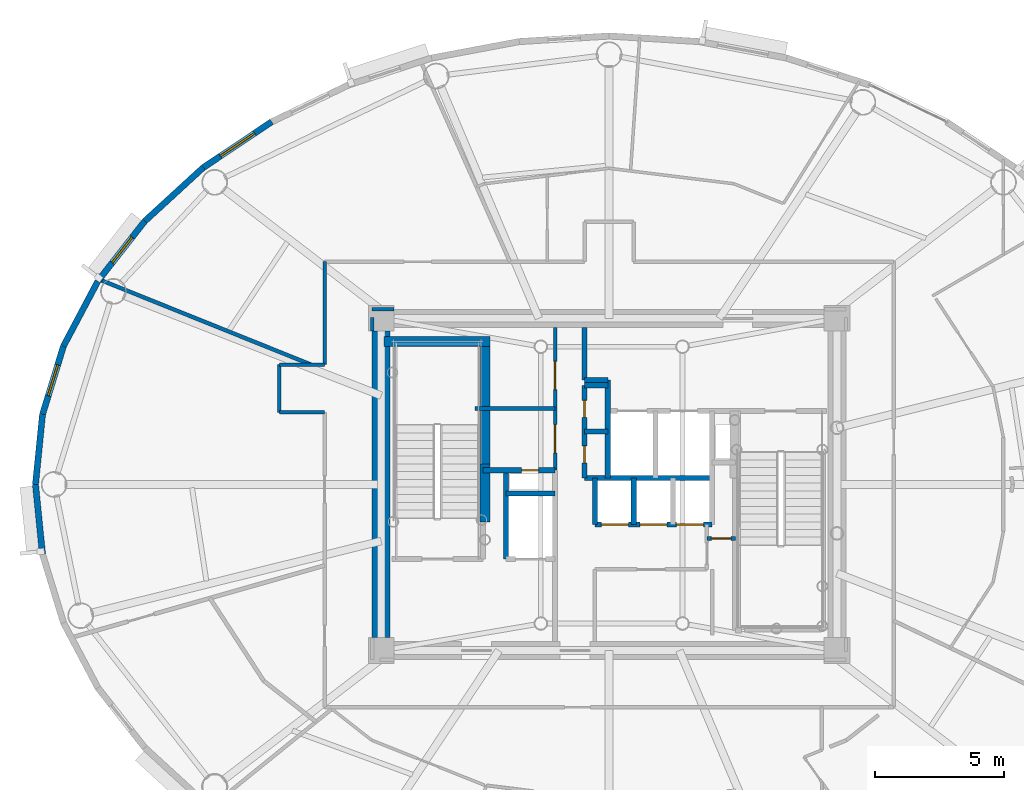
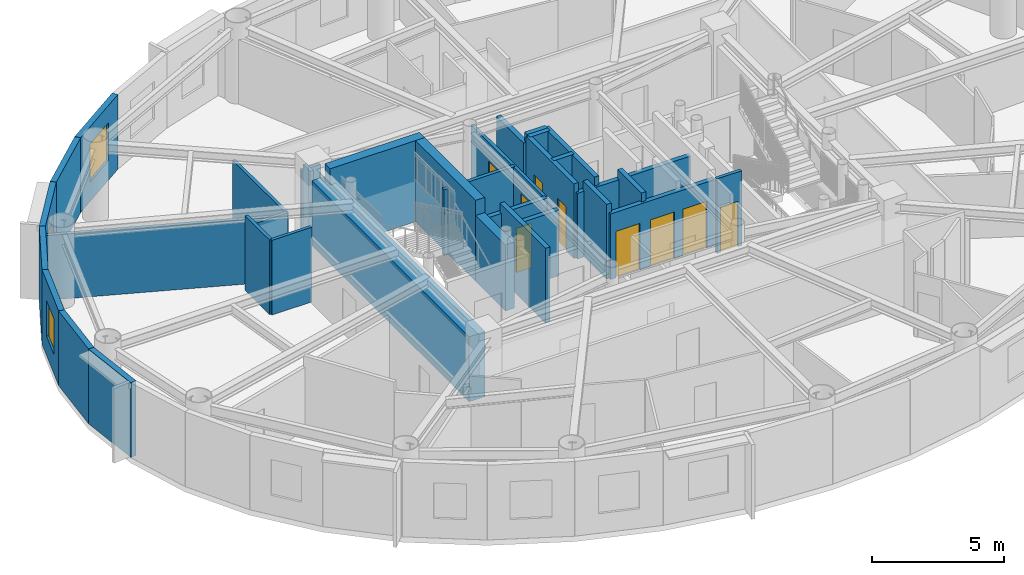
# One storey, part 8 of 17: 34 walls, 9 doors, 3 windows, 12 openings.
"""IFC4 building model written with IfcOpenShell, lengths in metres."""

from ifc_helpers import new_model, si_unit, direction, frame, frame_2d, origin, origin_2d, place, context, subcontext, project, spatial, rectangle, extrude, source, transform, mapped, material, layer, layer_set, type_object, element, fill, save


model = new_model("IFC4")

# Units and contexts
model_context = context("Model", 3, precision=1e-05, world=origin(), true_north=direction((0.0, 1.0)))
body_context = subcontext(model_context, "Body", "Model", "MODEL_VIEW")
ifc_project = project(units=[si_unit("LENGTHUNIT", "METRE"), si_unit("AREAUNIT", "SQUARE_METRE"), si_unit("VOLUMEUNIT", "CUBIC_METRE"), si_unit("PLANEANGLEUNIT", "RADIAN"), si_unit("MASSUNIT", "GRAM", prefix="KILO")], contexts=[model_context])

# Site, building, storey
site_placement = place(None, origin())
site = spatial("IfcSite", under=ifc_project, at=site_placement, CompositionType="ELEMENT")
building_placement = place(site_placement, origin())
building = spatial("IfcBuilding", under=site, at=building_placement, Name="Linh Dai School and Residence Tower", CompositionType="ELEMENT")
storey_placement = place(building_placement, frame((0.0, 0.0, 314.25)))
storey = spatial("IfcBuildingStorey", under=building, at=storey_placement, Name="L78", CompositionType="ELEMENT", Elevation=314.25)

# Wall, opening, window
ifc_material_1 = material(Name="Precast Concrete B45 (C35/45)", Category="concrete")
ifc_layer_1 = layer(ifc_material_1, 0.239990234375)
ifc_layer_set_1 = layer_set([ifc_layer_1], Name="Precast Concrete B45 (C35/45)")
wall_type_1 = type_object("IfcWallType", Name="EW-TC-240", PredefinedType="SOLIDWALL", material=ifc_layer_set_1)
wall_1_placement = place(storey_placement, frame((20.23779296875, 39.30419921875, 0.0), z_axis=(0.0, 0.0, 1.0), x_axis=(0.831250592635, 0.55589787933, 0.0)))
wall_1 = element("IfcWall", 1, at=wall_1_placement, inside=storey, type_object=wall_type_1, Name="L78 Terracotta Exterior Wall 15", PredefinedType="SOLIDWALL", context=body_context, shape_type="SweptSolid", body=[
    extrude(rectangle(XDim=3.197265625, YDim=0.239990234375, at=frame_2d((1.5986328125, 0.0))), origin(), (0.0, 0.0, 1.0), 3.449951171875),
])
opening_1_placement = place(wall_1_placement, frame((0.798583984375, 0.0, 0.89990234375)))
opening_1 = element("IfcOpeningElement", 2, at=opening_1_placement, cuts=wall_1, Name="Opening W2", PredefinedType="OPENING", context=body_context, shape_type="SweptSolid", body=[
    extrude(rectangle(XDim=1.60009765625, YDim=1.75, at=origin_2d()), frame((0.800048828125, 0.1298828125, 0.875), z_axis=(0.0, -1.0, 0.0), x_axis=(1.0, 0.0, 0.0)), (0.0, 0.0, 1.0), 0.260009765625),
])
ifc_material_2 = material(Name="Double Low-E Insulated Glazing", Category="glass")
window_type_1 = type_object("IfcWindowType", Name="WN-RES-1600x1750", PartitioningType="DOUBLE_PANEL_VERTICAL", PredefinedType="WINDOW", material=ifc_material_2)
shared_shape_1 = source(origin(), body_context, "Body", "SweptSolid", [
    extrude(rectangle(XDim=1.60009765625, YDim=1.75, at=origin_2d()), frame((0.800048828125, 0.030029296875, 0.875), z_axis=(0.0, -1.0, 0.0), x_axis=(1.0, 0.0, 0.0)), (0.0, 0.0, 1.0), 0.06005859375),
])
window_1_placement = place(opening_1_placement, origin())
window_1 = element("IfcWindow", 3, at=window_1_placement, inside=storey, type_object=window_type_1, Name="L78 Exterior Window 15.1", OverallHeight=1.75, OverallWidth=1.60009765625, PartitioningType="DOUBLE_PANEL_VERTICAL", PredefinedType="WINDOW", context=body_context, shape_type="MappedRepresentation", body=[
    mapped(shared_shape_1, transform((0.0, 0.0, 0.0), x_axis=(1.0, 0.0, 0.0), y_axis=(0.0, 1.0, 0.0), z_axis=(0.0, 0.0, 1.0), scale=1.0)),
])
fill(opening_1, window_1)

# Wall
wall_2_placement = place(storey_placement, frame((17.9697265625, 37.224609375, 0.0), z_axis=(0.0, 0.0, 1.0), x_axis=(0.737068506972, 0.675818034703, 0.0)))
element("IfcWall", 4, at=wall_2_placement, inside=storey, type_object=wall_type_1, Name="L78 Terracotta Exterior Wall 16", PredefinedType="SOLIDWALL", context=body_context, shape_type="SweptSolid", body=[
    extrude(rectangle(XDim=3.0771484375, YDim=0.239990234375, at=frame_2d((1.53857421875, 0.0))), origin(), (0.0, 0.0, 1.0), 3.449951171875),
])

# Wall, opening, window
wall_3_placement = place(storey_placement, frame((16.146240234375, 34.894775390625, 0.0), z_axis=(0.0, 0.0, 1.0), x_axis=(0.616337186556, 0.787482363275, 0.0)))
wall_3 = element("IfcWall", 5, at=wall_3_placement, inside=storey, type_object=wall_type_1, Name="L78 Terracotta Exterior Wall 17", PredefinedType="SOLIDWALL", context=body_context, shape_type="SweptSolid", body=[
    extrude(rectangle(XDim=2.95849609375, YDim=0.239990234375, at=frame_2d((1.479248046875, 0.0))), origin(), (0.0, 0.0, 1.0), 3.449951171875),
])
opening_2_placement = place(wall_3_placement, frame((0.90869140625, 0.0, 0.89990234375)))
opening_2 = element("IfcOpeningElement", 6, at=opening_2_placement, cuts=wall_3, Name="Opening W3", PredefinedType="OPENING", context=body_context, shape_type="SweptSolid", body=[
    extrude(rectangle(XDim=1.25, YDim=1.64990234375, at=origin_2d()), frame((0.625, 0.1298828125, 0.824951171875), z_axis=(0.0, -1.0, 0.0), x_axis=(1.0, 0.0, 0.0)), (0.0, 0.0, 1.0), 0.260009765625),
])
window_type_2 = type_object("IfcWindowType", Name="WN-RES-1250x1650", PartitioningType="SINGLE_PANEL", PredefinedType="WINDOW", material=ifc_material_2)
shared_shape_2 = source(origin(), body_context, "Body", "SweptSolid", [
    extrude(rectangle(XDim=1.25, YDim=1.64990234375, at=origin_2d()), frame((0.625, 0.030029296875, 0.824951171875), z_axis=(0.0, -1.0, 0.0), x_axis=(1.0, 0.0, 0.0)), (0.0, 0.0, 1.0), 0.06005859375),
])
window_2_placement = place(opening_2_placement, origin())
window_2 = element("IfcWindow", 7, at=window_2_placement, inside=storey, type_object=window_type_2, Name="L78 Exterior Window 17.1", OverallHeight=1.64990234375, OverallWidth=1.25, PartitioningType="SINGLE_PANEL", PredefinedType="WINDOW", context=body_context, shape_type="MappedRepresentation", body=[
    mapped(shared_shape_2, transform((0.0, 0.0, 0.0), x_axis=(1.0, 0.0, 0.0), y_axis=(0.0, 1.0, 0.0), z_axis=(0.0, 0.0, 1.0), scale=1.0)),
])
fill(opening_2, window_2)

# Wall
wall_4_placement = place(storey_placement, frame((14.811767578125, 32.372314453125, 0.0), z_axis=(0.0, 0.0, 1.0), x_axis=(0.467628269026, 0.883925224218, 0.0)))
element("IfcWall", 8, at=wall_4_placement, inside=storey, type_object=wall_type_1, Name="L78 Terracotta Exterior Wall 18", PredefinedType="SOLIDWALL", context=body_context, shape_type="SweptSolid", body=[
    extrude(rectangle(XDim=2.853759765625, YDim=0.239990234375, at=frame_2d((1.4267578125, 0.0))), origin(), (0.0, 0.0, 1.0), 3.449951171875),
])

# Wall, opening, window
wall_5_placement = place(storey_placement, frame((13.998291015625, 29.718994140625, 0.0), z_axis=(0.0, 0.0, 1.0), x_axis=(0.2931213403, 0.956075248012, 0.0)))
wall_5 = element("IfcWall", 9, at=wall_5_placement, inside=storey, type_object=wall_type_1, Name="L78 Terracotta Exterior Wall 19", PredefinedType="SOLIDWALL", context=body_context, shape_type="SweptSolid", body=[
    extrude(rectangle(XDim=2.775146484375, YDim=0.239990234375, at=frame_2d((1.3876953125, 0.0))), origin(), (0.0, 0.0, 1.0), 3.449951171875),
])
opening_3_placement = place(wall_5_placement, frame((0.7626953125, 0.0, 0.89990234375)))
opening_3 = element("IfcOpeningElement", 10, at=opening_3_placement, cuts=wall_5, Name="Opening W3", PredefinedType="OPENING", context=body_context, shape_type="SweptSolid", body=[
    extrude(rectangle(XDim=1.25, YDim=1.64990234375, at=origin_2d()), frame((0.625, 0.1298828125, 0.824951171875), z_axis=(0.0, -1.0, 0.0), x_axis=(1.0, 0.0, 0.0)), (0.0, 0.0, 1.0), 0.260009765625),
])
window_3_placement = place(opening_3_placement, origin())
window_3 = element("IfcWindow", 11, at=window_3_placement, inside=storey, type_object=window_type_2, Name="L78 Exterior Window 19.1", OverallHeight=1.64990234375, OverallWidth=1.25, PartitioningType="SINGLE_PANEL", PredefinedType="WINDOW", context=body_context, shape_type="MappedRepresentation", body=[
    mapped(shared_shape_2, transform((0.0, 0.0, 0.0), x_axis=(1.0, 0.0, 0.0), y_axis=(0.0, 1.0, 0.0), z_axis=(0.0, 0.0, 1.0), scale=1.0)),
])
fill(opening_3, window_3)

# Walls
for number, where, z_axis, x_axis, name in (
    (12, (13.72509765625, 27.0, 0.0), (0.0, 0.0, 1.0), (0.099972526841, 0.99499019788, 0.0), "L78 Terracotta Exterior Wall 20"),
    (13, (13.998291015625, 24.281005859375, 0.0), (0.0, 0.0, 1.0), (-0.099972526841, 0.99499019788, 0.0), "L78 Terracotta Exterior Wall 21"),
):
    element("IfcWall", number, at=place(storey_placement, frame(where, z_axis=z_axis, x_axis=x_axis)), inside=storey, type_object=wall_type_1, Name=name, PredefinedType="SOLIDWALL", context=body_context, shape_type="SweptSolid", body=[
        extrude(rectangle(XDim=2.732666015625, YDim=0.239990234375, at=frame_2d((1.3662109375, 0.0))), origin(), (0.0, 0.0, 1.0), 3.449951171875),
    ])
ifc_material_3 = material(Name="Autoclaved Aerated Concrete Blockwork", Category="masonry")
ifc_layer_2 = layer(ifc_material_3, 0.135009765625)
ifc_layer_set_2 = layer_set([ifc_layer_2], Name="Autoclaved Aerated Concrete Blockwork")
wall_type_2 = type_object("IfcWallType", Name="IW-CORR-135-EI90", PredefinedType="PARTITIONING", material=ifc_layer_set_2)
wall_6_placement = place(storey_placement, frame((23.199951171875, 29.800048828125, 0.0), z_axis=(0.0, 0.0, 1.0), x_axis=(0.0, 1.0, 0.0)))
element("IfcWall", 14, at=wall_6_placement, inside=storey, type_object=wall_type_2, Name="L78 Interior Partition Wall 006", PredefinedType="PARTITIONING", context=body_context, shape_type="SweptSolid", body=[
    extrude(rectangle(XDim=1.849853515625, YDim=0.135009765625, at=frame_2d((0.9248046875, 0.0))), origin(), (0.0, 0.0, 1.0), 3.449951171875),
])
wall_7_placement = place(storey_placement, frame((23.199951171875, 29.800048828125, 0.0), z_axis=(0.0, 0.0, 1.0), x_axis=(1.0, 0.0, 0.0)))
element("IfcWall", 15, at=wall_7_placement, inside=storey, type_object=wall_type_2, Name="L78 Interior Partition Wall 007", PredefinedType="PARTITIONING", context=body_context, shape_type="SweptSolid", body=[
    extrude(rectangle(XDim=1.75, YDim=0.135009765625, at=frame_2d((0.875, 0.0))), origin(), (0.0, 0.0, 1.0), 3.449951171875),
])
wall_8_placement = place(storey_placement, frame((23.199951171875, 31.64990234375, 0.0), z_axis=(0.0, 0.0, 1.0), x_axis=(1.0, 0.0, 0.0)))
element("IfcWall", 16, at=wall_8_placement, inside=storey, type_object=wall_type_2, Name="L78 Interior Partition Wall 008", PredefinedType="PARTITIONING", context=body_context, shape_type="SweptSolid", body=[
    extrude(rectangle(XDim=1.75, YDim=0.135009765625, at=frame_2d((0.875, 0.0))), origin(), (0.0, 0.0, 1.0), 2.985107421875),
])
wall_9_placement = place(storey_placement, frame((24.949951171875, 31.64990234375, 0.0), z_axis=(0.0, 0.0, 1.0), x_axis=(0.0, 1.0, 0.0)))
element("IfcWall", 17, at=wall_9_placement, inside=storey, type_object=wall_type_2, Name="L78 Interior Partition Wall 011", PredefinedType="PARTITIONING", context=body_context, shape_type="SweptSolid", body=[
    extrude(rectangle(XDim=4.0, YDim=0.135009765625, at=frame_2d((2.0, 0.0))), origin(), (0.0, 0.0, 1.0), 2.985107421875),
])

# Wall, openings, doors
wall_10_placement = place(storey_placement, frame((33.89990234375, 27.56005859375, 0.0), z_axis=(0.0, 0.0, 1.0), x_axis=(0.0, 1.0, 0.0)))
wall_10 = element("IfcWall", 18, at=wall_10_placement, inside=storey, type_object=wall_type_2, Name="L78 Interior Partition Wall 029", PredefinedType="PARTITIONING", context=body_context, shape_type="SweptSolid", body=[
    extrude(rectangle(XDim=5.5400390625, YDim=0.135009765625, at=frame_2d((2.77001953125, 0.0))), origin(), (0.0, 0.0, 1.0), 3.034912109375),
])
opening_4_placement = place(wall_10_placement, frame((0.6650390625, 0.0, 0.0)))
opening_4 = element("IfcOpeningElement", 19, at=opening_4_placement, cuts=wall_10, Name="Opening D07", PredefinedType="OPENING", context=body_context, shape_type="SweptSolid", body=[
    extrude(rectangle(XDim=1.10009765625, YDim=2.14990234375, at=origin_2d()), frame((0.550048828125, 0.07763671875, 1.074951171875), z_axis=(0.0, -1.0, 0.0), x_axis=(1.0, 0.0, 0.0)), (0.0, 0.0, 1.0), 0.155029296875),
])
opening_5_placement = place(wall_10_placement, frame((3.117431640625, 0.0, 0.0)))
opening_5 = element("IfcOpeningElement", 20, at=opening_5_placement, cuts=wall_10, Name="Opening D07", PredefinedType="OPENING", context=body_context, shape_type="SweptSolid", body=[
    extrude(rectangle(XDim=1.10009765625, YDim=2.14990234375, at=origin_2d()), frame((0.550048828125, 0.07763671875, 1.074951171875), z_axis=(0.0, -1.0, 0.0), x_axis=(1.0, 0.0, 0.0)), (0.0, 0.0, 1.0), 0.155029296875),
])
ifc_material_4 = material(Name="Fire-Rated Louvred Steel Plant Door", Category="steel")
door_type_1 = type_object("IfcDoorType", Name="DR-PLT-1100x2150-FD60S", OperationType="NOTDEFINED", PredefinedType="DOOR", material=ifc_material_4)
shared_shape_3 = source(origin(), body_context, "Body", "SweptSolid", [
    extrude(rectangle(XDim=1.10009765625, YDim=2.14990234375, at=origin_2d()), frame((0.550048828125, 0.02490234375, 1.074951171875), z_axis=(0.0, -1.0, 0.0), x_axis=(1.0, 0.0, 0.0)), (0.0, 0.0, 1.0), 0.050048828125),
])
door_1_placement = place(opening_4_placement, origin())
door_1 = element("IfcDoor", 21, at=door_1_placement, inside=storey, type_object=door_type_1, Name="L78 BMS and Data Room Door", OperationType="SINGLE_SWING_RIGHT", OverallHeight=2.14990234375, OverallWidth=1.10009765625, PredefinedType="DOOR", context=body_context, shape_type="MappedRepresentation", body=[
    mapped(shared_shape_3, transform((0.0, 0.0, 0.0), x_axis=(1.0, 0.0, 0.0), y_axis=(0.0, 1.0, 0.0), z_axis=(0.0, 0.0, 1.0), scale=1.0)),
])
fill(opening_4, door_1)
door_2_placement = place(opening_5_placement, origin())
door_2 = element("IfcDoor", 22, at=door_2_placement, inside=storey, type_object=door_type_1, Name="L78 Housekeeping Linen Room Door", OperationType="SINGLE_SWING_LEFT", OverallHeight=2.14990234375, OverallWidth=1.10009765625, PredefinedType="DOOR", context=body_context, shape_type="MappedRepresentation", body=[
    mapped(shared_shape_3, transform((0.0, 0.0, 0.0), x_axis=(1.0, 0.0, 0.0), y_axis=(0.0, 1.0, 0.0), z_axis=(0.0, 0.0, 1.0), scale=1.0)),
])
fill(opening_5, door_2)

# Walls
wall_11_placement = place(storey_placement, frame((27.639892578125, 33.800048828125, 0.0), z_axis=(0.0, 0.0, 1.0), x_axis=(-1.0, 0.0, 0.0)))
element("IfcWall", 23, at=wall_11_placement, inside=storey, type_object=wall_type_2, Name="L78 Interior Partition Wall 079", PredefinedType="PARTITIONING", context=body_context, shape_type="SweptSolid", body=[
    extrude(rectangle(XDim=0.83984375, YDim=0.135009765625, at=frame_2d((0.419921875, 0.0))), origin(), (0.0, 0.0, 1.0), 2.985107421875),
])
wall_12_placement = place(storey_placement, frame((26.800048828125, 33.492431640625, 0.0), z_axis=(0.0, 0.0, 1.0), x_axis=(0.0, -1.0, 0.0)))
element("IfcWall", 24, at=wall_12_placement, inside=storey, type_object=wall_type_2, Name="L78 Interior Partition Wall 080", PredefinedType="PARTITIONING", context=body_context, shape_type="SweptSolid", body=[
    extrude(rectangle(XDim=0.532470703125, YDim=0.135009765625, at=frame_2d((0.26611328125, 0.0))), origin(), (0.0, 0.0, 1.0), 3.449951171875),
])
ifc_layer_3 = layer(ifc_material_3, 0.14990234375)
ifc_layer_set_3 = layer_set([ifc_layer_3], Name="Autoclaved Aerated Concrete Blockwork")
wall_type_3 = type_object("IfcWallType", Name="IW-SCH-150-EI60", PredefinedType="PARTITIONING", material=ifc_layer_set_3)
wall_13_placement = place(storey_placement, frame((16.19287109375, 34.96240234375, 0.0), z_axis=(0.0, 0.0, 1.0), x_axis=(0.927839710722, -0.372979183343, 0.0)))
element("IfcWall", 25, at=wall_13_placement, inside=storey, type_object=wall_type_3, Name="L78 Interior Partition Wall 002", PredefinedType="PARTITIONING", context=body_context, shape_type="SweptSolid", body=[
    extrude(rectangle(XDim=8.8740234375, YDim=0.14990234375, at=frame_2d((4.43701171875, 0.0))), origin(), (0.0, 0.0, 1.0), 2.985107421875),
])
wall_14_placement = place(storey_placement, frame((30.800048828125, 29.949951171875, 0.0), z_axis=(0.0, 0.0, 1.0), x_axis=(1.0, 0.0, 0.0)))
element("IfcWall", 26, at=wall_14_placement, inside=storey, type_object=wall_type_3, Name="L78 Interior Partition Wall 018", PredefinedType="PARTITIONING", context=body_context, shape_type="SweptSolid", body=[
    extrude(rectangle(XDim=3.099853515625, YDim=0.14990234375, at=frame_2d((1.5498046875, 0.0))), origin(), (0.0, 0.0, 1.0), 3.034912109375),
])

# Wall, opening, door
wall_15_placement = place(storey_placement, frame((39.800048828125, 24.89990234375, 0.0), z_axis=(0.0, 0.0, 1.0), x_axis=(1.0, 0.0, 0.0)))
wall_15 = element("IfcWall", 27, at=wall_15_placement, inside=storey, type_object=wall_type_3, Name="L78 Interior Partition Wall 055", PredefinedType="PARTITIONING", context=body_context, shape_type="SweptSolid", body=[
    extrude(rectangle(XDim=1.099853515625, YDim=0.14990234375, at=frame_2d((0.5498046875, 0.0))), origin(), (0.0, 0.0, 1.0), 3.449951171875),
])
opening_6_placement = place(wall_15_placement, frame((0.169921875, 0.0, 0.0)))
opening_6 = element("IfcOpeningElement", 28, at=opening_6_placement, cuts=wall_15, Name="Opening D08", PredefinedType="OPENING", context=body_context, shape_type="SweptSolid", body=[
    extrude(rectangle(XDim=0.760009765625, YDim=2.10009765625, at=origin_2d()), frame((0.3798828125, 0.0849609375, 1.050048828125), z_axis=(0.0, -1.0, 0.0), x_axis=(1.0, 0.0, 0.0)), (0.0, 0.0, 1.0), 0.169921875),
])
ifc_material_5 = material(Name="Engineered Timber Closet and Study Door", Category="wood")
door_type_2 = type_object("IfcDoorType", Name="DR-CMP-760x2100", OperationType="NOTDEFINED", PredefinedType="DOOR", material=ifc_material_5)
shared_shape_4 = source(origin(), body_context, "Body", "SweptSolid", [
    extrude(rectangle(XDim=0.760009765625, YDim=2.10009765625, at=origin_2d()), frame((0.3798828125, 0.02490234375, 1.050048828125), z_axis=(0.0, -1.0, 0.0), x_axis=(1.0, 0.0, 0.0)), (0.0, 0.0, 1.0), 0.050048828125),
])
door_3_placement = place(opening_6_placement, origin())
door_3 = element("IfcDoor", 29, at=door_3_placement, inside=storey, type_object=door_type_2, Name="L78 NE Cleaners Store Door", OperationType="SINGLE_SWING_LEFT", OverallHeight=2.10009765625, OverallWidth=0.760009765625, PredefinedType="DOOR", context=body_context, shape_type="MappedRepresentation", body=[
    mapped(shared_shape_4, transform((0.0, 0.0, 0.0), x_axis=(1.0, 0.0, 0.0), y_axis=(0.0, 1.0, 0.0), z_axis=(0.0, 0.0, 1.0), scale=1.0)),
])
fill(opening_6, door_3)

ifc_material_6 = material(Name="Concrete B45 (C35/45)", Category="concrete")
ifc_layer_4 = layer(ifc_material_6, 0.199951171875)
ifc_layer_set_4 = layer_set([ifc_layer_4], Name="Concrete B45 (C35/45)")
wall_type_4 = type_object("IfcWallType", Name="IW-SHAFT-200-EI120", PredefinedType="PARTITIONING", material=ifc_layer_set_4)
wall_16_placement = place(storey_placement, frame((31.10009765625, 27.550048828125, 0.0), z_axis=(0.0, 0.0, 1.0), x_axis=(1.0, 0.0, 0.0)))
wall_16 = element("IfcWall", 30, at=wall_16_placement, inside=storey, type_object=wall_type_4, Name="L78 Interior Partition Wall 021", PredefinedType="PARTITIONING", context=body_context, shape_type="SweptSolid", body=[
    extrude(rectangle(XDim=2.7998046875, YDim=0.199951171875, at=frame_2d((1.39990234375, 0.0))), origin(), (0.0, 0.0, 1.0), 3.034912109375),
])
opening_7_placement = place(wall_16_placement, frame((1.5, 0.0, 0.0)))
opening_7 = element("IfcOpeningElement", 31, at=opening_7_placement, cuts=wall_16, Name="Opening AD1", PredefinedType="OPENING", context=body_context, shape_type="SweptSolid", body=[
    extrude(rectangle(XDim=0.659912109375, YDim=2.050048828125, at=origin_2d()), frame((0.330078125, 0.10986328125, 1.02490234375), z_axis=(0.0, -1.0, 0.0), x_axis=(1.0, 0.0, 0.0)), (0.0, 0.0, 1.0), 0.219970703125),
])
ifc_material_7 = material(Name="Fire-Rated Steel Riser Access Door", Category="steel")
door_type_3 = type_object("IfcDoorType", Name="DR-ACC-660x2050-FD90S", OperationType="NOTDEFINED", PredefinedType="USERDEFINED", material=ifc_material_7)
shared_shape_5 = source(origin(), body_context, "Body", "SweptSolid", [
    extrude(rectangle(XDim=0.659912109375, YDim=2.050048828125, at=origin_2d()), frame((0.330078125, 0.02490234375, 1.02490234375), z_axis=(0.0, -1.0, 0.0), x_axis=(1.0, 0.0, 0.0)), (0.0, 0.0, 1.0), 0.050048828125),
])
door_4_placement = place(opening_7_placement, origin())
door_4 = element("IfcDoor", 32, at=door_4_placement, inside=storey, type_object=door_type_3, Name="L78 Main Electrical Riser Access Door", ObjectType="ACCESS DOOR", OperationType="SINGLE_SWING_RIGHT", OverallHeight=2.050048828125, OverallWidth=0.659912109375, PredefinedType="USERDEFINED", context=body_context, shape_type="MappedRepresentation", body=[
    mapped(shared_shape_5, transform((0.0, 0.0, 0.0), x_axis=(1.0, 0.0, 0.0), y_axis=(0.0, 1.0, 0.0), z_axis=(0.0, 0.0, 1.0), scale=1.0)),
])
fill(opening_7, door_4)

# Walls
wall_17_placement = place(storey_placement, frame((32.0, 24.10009765625, 0.0), z_axis=(0.0, 0.0, 1.0), x_axis=(0.0, 1.0, 0.0)))
element("IfcWall", 33, at=wall_17_placement, inside=storey, type_object=wall_type_4, Name="L78 Interior Partition Wall 024", PredefinedType="PARTITIONING", context=body_context, shape_type="SweptSolid", body=[
    extrude(rectangle(XDim=3.449951171875, YDim=0.199951171875, at=frame_2d((1.72509765625, 0.0))), origin(), (0.0, 0.0, 1.0), 3.449951171875),
])
wall_18_placement = place(storey_placement, frame((32.0, 26.64990234375, 0.0), z_axis=(0.0, 0.0, 1.0), x_axis=(1.0, 0.0, 0.0)))
element("IfcWall", 34, at=wall_18_placement, inside=storey, type_object=wall_type_4, Name="L78 Interior Partition Wall 026", PredefinedType="PARTITIONING", context=body_context, shape_type="SweptSolid", body=[
    extrude(rectangle(XDim=1.89990234375, YDim=0.199951171875, at=frame_2d((0.949951171875, 0.0))), origin(), (0.0, 0.0, 1.0), 3.034912109375),
])

# Wall, openings, doors
wall_19_placement = place(storey_placement, frame((35.050048828125, 27.25, 0.0), z_axis=(0.0, 0.0, 1.0), x_axis=(0.0, 1.0, 0.0)))
wall_19 = element("IfcWall", 35, at=wall_19_placement, inside=storey, type_object=wall_type_4, Name="L78 Interior Partition Wall 030", PredefinedType="PARTITIONING", context=body_context, shape_type="SweptSolid", body=[
    extrude(rectangle(XDim=3.60009765625, YDim=0.199951171875, at=frame_2d((1.800048828125, 0.0))), origin(), (0.0, 0.0, 1.0), 3.449951171875),
])
opening_8_placement = place(wall_19_placement, frame((0.590087890625, 0.0, 0.0)))
opening_8 = element("IfcOpeningElement", 36, at=opening_8_placement, cuts=wall_19, Name="Opening AD1", PredefinedType="OPENING", context=body_context, shape_type="SweptSolid", body=[
    extrude(rectangle(XDim=0.659912109375, YDim=2.050048828125, at=origin_2d()), frame((0.330078125, 0.10986328125, 1.02490234375), z_axis=(0.0, -1.0, 0.0), x_axis=(1.0, 0.0, 0.0)), (0.0, 0.0, 1.0), 0.219970703125),
])
opening_9_placement = place(wall_19_placement, frame((2.35009765625, 0.0, 0.0)))
opening_9 = element("IfcOpeningElement", 37, at=opening_9_placement, cuts=wall_19, Name="Opening AD1", PredefinedType="OPENING", context=body_context, shape_type="SweptSolid", body=[
    extrude(rectangle(XDim=0.659912109375, YDim=2.050048828125, at=origin_2d()), frame((0.330078125, 0.10986328125, 1.02490234375), z_axis=(0.0, -1.0, 0.0), x_axis=(1.0, 0.0, 0.0)), (0.0, 0.0, 1.0), 0.219970703125),
])
door_5_placement = place(opening_8_placement, origin())
door_5 = element("IfcDoor", 38, at=door_5_placement, inside=storey, type_object=door_type_3, Name="L78 Telecom and Data Riser Access Door", ObjectType="ACCESS DOOR", OperationType="SINGLE_SWING_LEFT", OverallHeight=2.050048828125, OverallWidth=0.659912109375, PredefinedType="USERDEFINED", context=body_context, shape_type="MappedRepresentation", body=[
    mapped(shared_shape_5, transform((0.0, 0.0, 0.0), x_axis=(1.0, 0.0, 0.0), y_axis=(0.0, 1.0, 0.0), z_axis=(0.0, 0.0, 1.0), scale=1.0)),
])
fill(opening_8, door_5)
door_6_placement = place(opening_9_placement, origin())
door_6 = element("IfcDoor", 39, at=door_6_placement, inside=storey, type_object=door_type_3, Name="L78 Mechanical and Plumbing Riser Access Door", ObjectType="ACCESS DOOR", OperationType="SINGLE_SWING_RIGHT", OverallHeight=2.050048828125, OverallWidth=0.659912109375, PredefinedType="USERDEFINED", context=body_context, shape_type="MappedRepresentation", body=[
    mapped(shared_shape_5, transform((0.0, 0.0, 0.0), x_axis=(1.0, 0.0, 0.0), y_axis=(0.0, 1.0, 0.0), z_axis=(0.0, 0.0, 1.0), scale=1.0)),
])
fill(opening_9, door_6)

# Walls
wall_20_placement = place(storey_placement, frame((35.050048828125, 27.25, 0.0), z_axis=(0.0, 0.0, 1.0), x_axis=(1.0, 0.0, 0.0)))
element("IfcWall", 40, at=wall_20_placement, inside=storey, type_object=wall_type_4, Name="L78 Interior Partition Wall 031", PredefinedType="PARTITIONING", context=body_context, shape_type="SweptSolid", body=[
    extrude(rectangle(XDim=4.949951171875, YDim=0.199951171875, at=frame_2d((2.47509765625, 0.0))), origin(), (0.0, 0.0, 1.0), 3.034912109375),
])
for number, where, z_axis, x_axis, name in (
    (41, (35.050048828125, 29.050048828125, 0.0), (0.0, 0.0, 1.0), (1.0, 0.0, 0.0), "L78 Interior Partition Wall 032"),
    (42, (35.050048828125, 30.85009765625, 0.0), (0.0, 0.0, 1.0), (1.0, 0.0, 0.0), "L78 Interior Partition Wall 033"),
):
    element("IfcWall", number, at=place(storey_placement, frame(where, z_axis=z_axis, x_axis=x_axis)), inside=storey, type_object=wall_type_4, Name=name, PredefinedType="PARTITIONING", context=body_context, shape_type="SweptSolid", body=[
        extrude(rectangle(XDim=0.89990234375, YDim=0.199951171875, at=frame_2d((0.449951171875, 0.0))), origin(), (0.0, 0.0, 1.0), 3.449951171875),
    ])
wall_21_placement = place(storey_placement, frame((35.050048828125, 31.050048828125, 0.0), z_axis=(0.0, 0.0, 1.0), x_axis=(0.0, 1.0, 0.0)))
element("IfcWall", 43, at=wall_21_placement, inside=storey, type_object=wall_type_4, Name="L78 Interior Partition Wall 034", PredefinedType="PARTITIONING", context=body_context, shape_type="SweptSolid", body=[
    extrude(rectangle(XDim=2.050048828125, YDim=0.199951171875, at=frame_2d((1.02490234375, 0.0))), origin(), (0.0, 0.0, 1.0), 3.034912109375),
])
wall_22_placement = place(storey_placement, frame((35.050048828125, 31.050048828125, 0.0), z_axis=(0.0, 0.0, 1.0), x_axis=(1.0, 0.0, 0.0)))
element("IfcWall", 44, at=wall_22_placement, inside=storey, type_object=wall_type_4, Name="L78 Interior Partition Wall 035", PredefinedType="PARTITIONING", context=body_context, shape_type="SweptSolid", body=[
    extrude(rectangle(XDim=0.89990234375, YDim=0.199951171875, at=frame_2d((0.449951171875, 0.0))), origin(), (0.0, 0.0, 1.0), 3.449951171875),
])
wall_23_placement = place(storey_placement, frame((35.449951171875, 25.449951171875, 0.0), z_axis=(0.0, 0.0, 1.0), x_axis=(0.0, 1.0, 0.0)))
element("IfcWall", 45, at=wall_23_placement, inside=storey, type_object=wall_type_4, Name="L78 Interior Partition Wall 040", PredefinedType="PARTITIONING", context=body_context, shape_type="SweptSolid", body=[
    extrude(rectangle(XDim=1.800048828125, YDim=0.199951171875, at=frame_2d((0.89990234375, 0.0))), origin(), (0.0, 0.0, 1.0), 3.449951171875),
])

# Wall, openings, doors
wall_24_placement = place(storey_placement, frame((35.449951171875, 25.449951171875, 0.0), z_axis=(0.0, 0.0, 1.0), x_axis=(1.0, 0.0, 0.0)))
wall_24 = element("IfcWall", 46, at=wall_24_placement, inside=storey, type_object=wall_type_4, Name="L78 Interior Partition Wall 041", PredefinedType="PARTITIONING", context=body_context, shape_type="SweptSolid", body=[
    extrude(rectangle(XDim=4.550048828125, YDim=0.199951171875, at=frame_2d((2.27490234375, 0.0))), origin(), (0.0, 0.0, 1.0), 3.034912109375),
])
opening_10_placement = place(wall_24_placement, frame((0.25, 0.0, 0.0)))
opening_10 = element("IfcOpeningElement", 47, at=opening_10_placement, cuts=wall_24, Name="Opening LD-PL7", PredefinedType="OPENING", context=body_context, shape_type="SweptSolid", body=[
    extrude(rectangle(XDim=1.050048828125, YDim=2.14990234375, at=origin_2d()), frame((0.52490234375, 0.10986328125, 1.074951171875), z_axis=(0.0, -1.0, 0.0), x_axis=(1.0, 0.0, 0.0)), (0.0, 0.0, 1.0), 0.219970703125),
])
opening_11_placement = place(wall_24_placement, frame((1.7451171875, 0.0, 0.0)))
opening_11 = element("IfcOpeningElement", 48, at=opening_11_placement, cuts=wall_24, Name="Opening LD-PL8", PredefinedType="OPENING", context=body_context, shape_type="SweptSolid", body=[
    extrude(rectangle(XDim=1.050048828125, YDim=2.14990234375, at=origin_2d()), frame((0.52490234375, 0.10986328125, 1.074951171875), z_axis=(0.0, -1.0, 0.0), x_axis=(1.0, 0.0, 0.0)), (0.0, 0.0, 1.0), 0.219970703125),
])
opening_12_placement = place(wall_24_placement, frame((3.1650390625, 0.0, 0.0)))
opening_12 = element("IfcOpeningElement", 49, at=opening_12_placement, cuts=wall_24, Name="Opening LD-PL9", PredefinedType="OPENING", context=body_context, shape_type="SweptSolid", body=[
    extrude(rectangle(XDim=1.050048828125, YDim=2.14990234375, at=origin_2d()), frame((0.52490234375, 0.10986328125, 1.074951171875), z_axis=(0.0, -1.0, 0.0), x_axis=(1.0, 0.0, 0.0)), (0.0, 0.0, 1.0), 0.219970703125),
])
ifc_material_8 = material(Name="Brushed Stainless Steel Lift Landing Door", Category="steel")
door_type_4 = type_object("IfcDoorType", Name="DR-LD-PASS-1050x2150", OperationType="DOUBLE_DOOR_SLIDING", PredefinedType="USERDEFINED", material=ifc_material_8)
shared_shape_6 = source(origin(), body_context, "Body", "SweptSolid", [
    extrude(rectangle(XDim=1.050048828125, YDim=2.14990234375, at=origin_2d()), frame((0.52490234375, 0.02490234375, 1.074951171875), z_axis=(0.0, -1.0, 0.0), x_axis=(1.0, 0.0, 0.0)), (0.0, 0.0, 1.0), 0.050048828125),
])
door_7_placement = place(opening_10_placement, origin())
door_7 = element("IfcDoor", 50, at=door_7_placement, inside=storey, type_object=door_type_4, Name="L78 Lift PL7 Sliding Landing Door", ObjectType="LANDING DOOR", OperationType="DOUBLE_DOOR_SLIDING", OverallHeight=2.14990234375, OverallWidth=1.050048828125, PredefinedType="USERDEFINED", context=body_context, shape_type="MappedRepresentation", body=[
    mapped(shared_shape_6, transform((0.0, 0.0, 0.0), x_axis=(1.0, 0.0, 0.0), y_axis=(0.0, 1.0, 0.0), z_axis=(0.0, 0.0, 1.0), scale=1.0)),
])
fill(opening_10, door_7)
door_8_placement = place(opening_11_placement, origin())
door_8 = element("IfcDoor", 51, at=door_8_placement, inside=storey, type_object=door_type_4, Name="L78 Lift PL8 Sliding Landing Door", ObjectType="LANDING DOOR", OperationType="DOUBLE_DOOR_SLIDING", OverallHeight=2.14990234375, OverallWidth=1.050048828125, PredefinedType="USERDEFINED", context=body_context, shape_type="MappedRepresentation", body=[
    mapped(shared_shape_6, transform((0.0, 0.0, 0.0), x_axis=(1.0, 0.0, 0.0), y_axis=(0.0, 1.0, 0.0), z_axis=(0.0, 0.0, 1.0), scale=1.0)),
])
fill(opening_11, door_8)
door_9_placement = place(opening_12_placement, origin())
door_9 = element("IfcDoor", 52, at=door_9_placement, inside=storey, type_object=door_type_4, Name="L78 Lift PL9 Sliding Landing Door", ObjectType="LANDING DOOR", OperationType="DOUBLE_DOOR_SLIDING", OverallHeight=2.14990234375, OverallWidth=1.050048828125, PredefinedType="USERDEFINED", context=body_context, shape_type="MappedRepresentation", body=[
    mapped(shared_shape_6, transform((0.0, 0.0, 0.0), x_axis=(1.0, 0.0, 0.0), y_axis=(0.0, 1.0, 0.0), z_axis=(0.0, 0.0, 1.0), scale=1.0)),
])
fill(opening_12, door_9)

# Walls
wall_25_placement = place(storey_placement, frame((35.949951171875, 27.25, 0.0), z_axis=(0.0, 0.0, 1.0), x_axis=(0.0, 1.0, 0.0)))
element("IfcWall", 53, at=wall_25_placement, inside=storey, type_object=wall_type_4, Name="L78 Interior Partition Wall 042", PredefinedType="PARTITIONING", context=body_context, shape_type="SweptSolid", body=[
    extrude(rectangle(XDim=3.800048828125, YDim=0.199951171875, at=frame_2d((1.89990234375, 0.0))), origin(), (0.0, 0.0, 1.0), 3.449951171875),
])
wall_26_placement = place(storey_placement, frame((36.9599609375, 25.449951171875, 0.0), z_axis=(0.0, 0.0, 1.0), x_axis=(0.0, 1.0, 0.0)))
element("IfcWall", 54, at=wall_26_placement, inside=storey, type_object=wall_type_4, Name="L78 Interior Partition Wall 049", PredefinedType="PARTITIONING", context=body_context, shape_type="SweptSolid", body=[
    extrude(rectangle(XDim=1.800048828125, YDim=0.199951171875, at=frame_2d((0.89990234375, 0.0))), origin(), (0.0, 0.0, 1.0), 3.449951171875),
])
ifc_layer_5 = layer(ifc_material_6, 0.39990234375)
ifc_layer_set_5 = layer_set([ifc_layer_5], Name="Concrete B45 (C35/45)")
wall_type_5 = type_object("IfcWallType", Name="WL-CORE400", PredefinedType="SHEAR", material=ifc_layer_set_5)
wall_27_placement = place(storey_placement, frame((31.179931640625, 27.800048828125, 0.0), z_axis=(0.0, 0.0, 1.0), x_axis=(0.0, 1.0, 0.0)))
element("IfcWall", 55, at=wall_27_placement, inside=storey, type_object=wall_type_5, Name="L78 Core Stair ST1 Bearing Wall E", PredefinedType="SHEAR", context=body_context, shape_type="SweptSolid", body=[
    extrude(rectangle(XDim=4.75, YDim=0.39990234375, at=frame_2d((2.375, 0.0))), origin(), (0.0, 0.0, 1.0), 3.75),
])
wall_28_placement = place(storey_placement, frame((27.25, 32.550048828125, 0.0), z_axis=(0.0, 0.0, 1.0), x_axis=(1.0, 0.0, 0.0)))
element("IfcWall", 56, at=wall_28_placement, inside=storey, type_object=wall_type_5, Name="L78 Core Stair ST1 Bearing Wall N", PredefinedType="SHEAR", context=body_context, shape_type="SweptSolid", body=[
    extrude(rectangle(XDim=4.1298828125, YDim=0.39990234375, at=frame_2d((2.06494140625, 0.0))), origin(), (0.0, 0.0, 1.0), 3.75),
])
wall_29_placement = place(storey_placement, frame((31.179931640625, 25.550048828125, 0.0), z_axis=(0.0, 0.0, 1.0), x_axis=(0.0, 1.0, 0.0)))
element("IfcWall", 57, at=wall_29_placement, inside=storey, type_object=wall_type_5, Name="L78 Internal Core Shear Wall IW", PredefinedType="SHEAR", context=body_context, shape_type="SweptSolid", body=[
    extrude(rectangle(XDim=2.25, YDim=0.39990234375, at=frame_2d((1.125, 0.0))), origin(), (0.0, 0.0, 1.0), 3.050048828125),
])
ifc_layer_6 = layer(ifc_material_6, 0.699951171875)
ifc_layer_set_6 = layer_set([ifc_layer_6], Name="Concrete B45 (C35/45)")
wall_type_6 = type_object("IfcWallType", Name="WL-CORE700", PredefinedType="SHEAR", material=ifc_layer_set_6)
wall_30_placement = place(storey_placement, frame((27.14990234375, 21.050048828125, 0.0), z_axis=(0.0, 0.0, 1.0), x_axis=(0.0, 1.0, 0.0)))
element("IfcWall", 58, at=wall_30_placement, inside=storey, type_object=wall_type_6, Name="L78 Central Core Shear Wall W", PredefinedType="SHEAR", context=body_context, shape_type="SweptSolid", body=[
    extrude(rectangle(XDim=11.89990234375, YDim=0.699951171875, at=frame_2d((5.949951171875, 0.0))), origin(), (0.0, 0.0, 1.0), 3.0),
])

save(model, "model.ifc")
